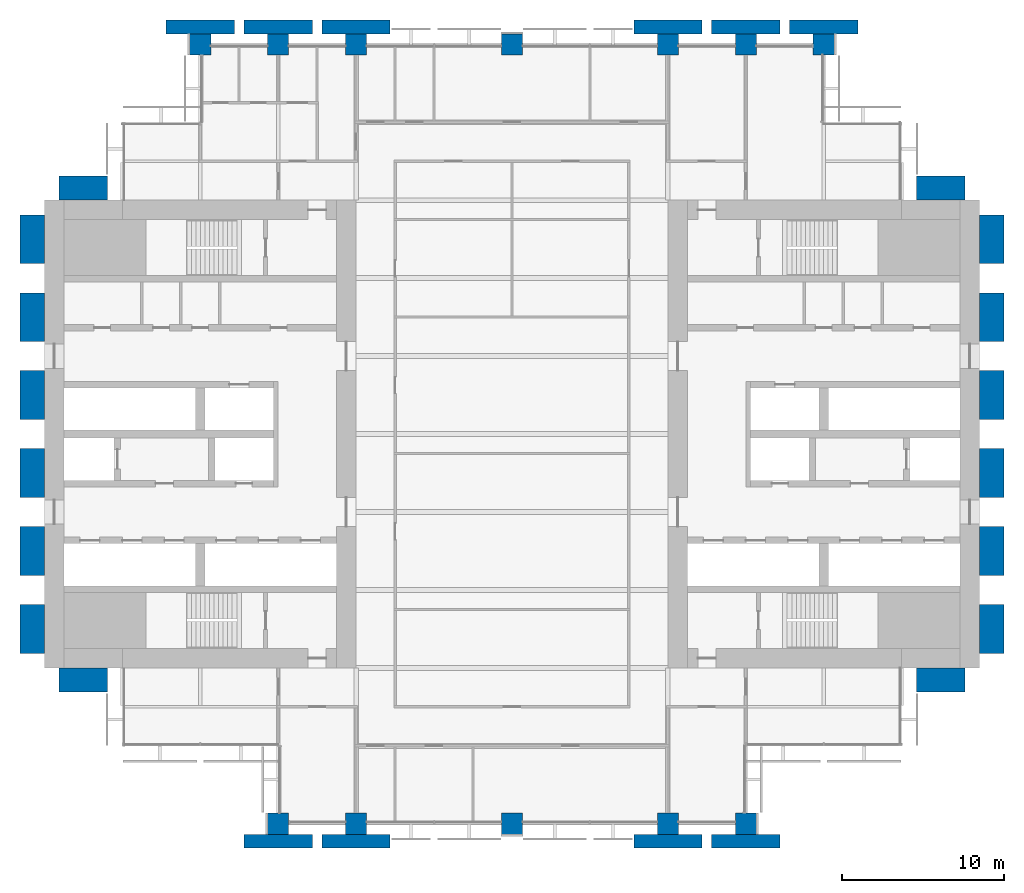
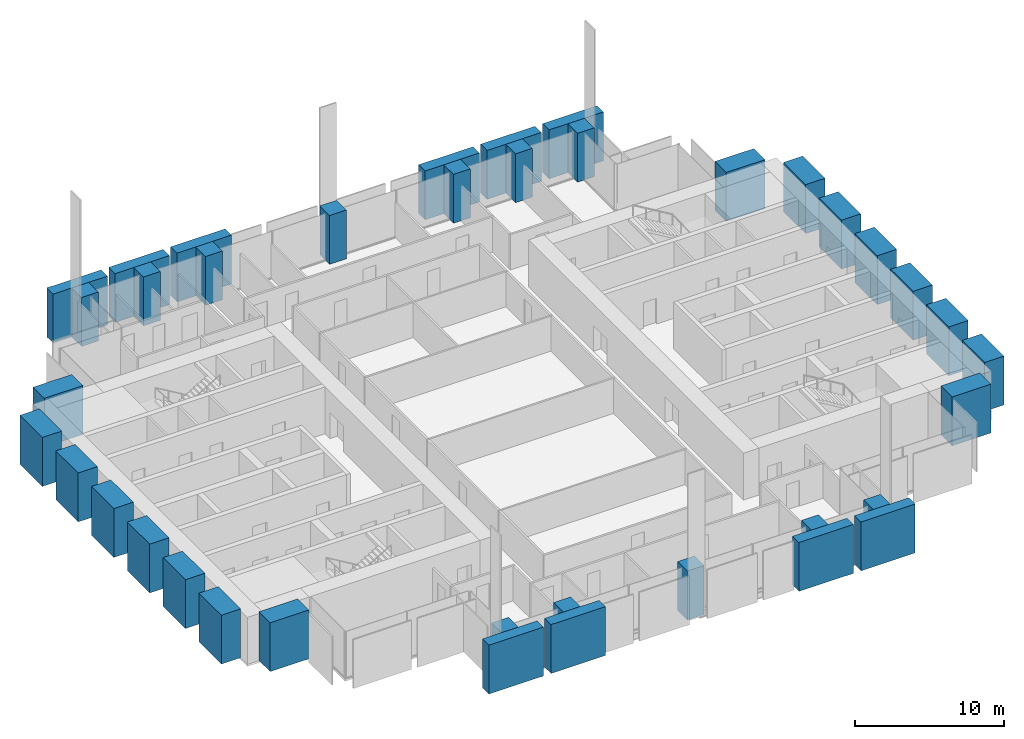
# One storey, part 1 of 14: 38 columns.
"""IFC4 building model written with IfcOpenShell, lengths in metres."""

from ifc_helpers import new_model, si_unit, direction, frame, origin, origin_2d, place, context, subcontext, project, spatial, rectangle, extrude, material, material_profile, profile_set, type_object, element, save


model = new_model("IFC4")

# Units and contexts
model_context = context("Model", 3, precision=1e-05, world=origin(), true_north=direction((0.0, 1.0)))
body_context = subcontext(model_context, "Body", "Model", "MODEL_VIEW")
ifc_project = project(units=[si_unit("LENGTHUNIT", "METRE"), si_unit("AREAUNIT", "SQUARE_METRE"), si_unit("VOLUMEUNIT", "CUBIC_METRE"), si_unit("PLANEANGLEUNIT", "RADIAN"), si_unit("MASSUNIT", "GRAM", prefix="KILO")], contexts=[model_context])

# Site, building, storey
site_placement = place(None, origin())
site = spatial("IfcSite", under=ifc_project, at=site_placement, CompositionType="ELEMENT")
building_placement = place(site_placement, origin())
building = spatial("IfcBuilding", under=site, at=building_placement, Name="Baori Bourse Tower", CompositionType="ELEMENT")
storey_placement = place(building_placement, frame((0.0, 0.0, 63.0)))
storey = spatial("IfcBuildingStorey", under=building, at=storey_placement, Name="L13", CompositionType="ELEMENT", Elevation=63.0)

# Columns
ifc_material_1 = material(Name="Concrete f'c 60 MPa", Category="concrete")
ifc_material_profile_1 = material_profile(ifc_material_1, rectangle(XDim=4.199951171875, YDim=0.85009765625, at=origin_2d()), Name="RC 4200x850")
ifc_profile_set_1 = profile_set([ifc_material_profile_1], Name="Concrete f'c 60 MPa")
column_type_1 = type_object("IfcColumnType", Name="FN3 Brick pilaster 4200x850", PredefinedType="PILASTER", material=ifc_profile_set_1)
for number, where, z_axis, x_axis, name in (
    (1, (14.39990234375, -1.074951171875, 0.0), (0.0, 0.0, 1.0), (1.0, 0.0, 0.0), "Brick pilaster L13 17"),
    (2, (19.199951171875, -1.074951171875, 0.0), (0.0, 0.0, 1.0), (1.0, 0.0, 0.0), "Brick pilaster L13 18"),
    (3, (38.39990234375, -1.074951171875, 0.0), (0.0, 0.0, 1.0), (1.0, 0.0, 0.0), "Brick pilaster L13 19"),
    (4, (43.199951171875, -1.074951171875, 0.0), (0.0, 0.0, 1.0), (1.0, 0.0, 0.0), "Brick pilaster L13 20"),
    (5, (9.60009765625, 49.074951171875, 0.0), (0.0, 0.0, 1.0), (1.0, 0.0, 0.0), "Brick pilaster L13 21"),
    (6, (14.39990234375, 49.074951171875, 0.0), (0.0, 0.0, 1.0), (1.0, 0.0, 0.0), "Brick pilaster L13 22"),
    (7, (19.199951171875, 49.074951171875, 0.0), (0.0, 0.0, 1.0), (1.0, 0.0, 0.0), "Brick pilaster L13 23"),
    (8, (38.39990234375, 49.074951171875, 0.0), (0.0, 0.0, 1.0), (1.0, 0.0, 0.0), "Brick pilaster L13 24"),
    (9, (43.199951171875, 49.074951171875, 0.0), (0.0, 0.0, 1.0), (1.0, 0.0, 0.0), "Brick pilaster L13 25"),
    (10, (48.0, 49.074951171875, 0.0), (0.0, 0.0, 1.0), (1.0, 0.0, 0.0), "Brick pilaster L13 26"),
):
    element("IfcColumn", number, at=place(storey_placement, frame(where, z_axis=z_axis, x_axis=x_axis)), inside=storey, type_object=column_type_1, Name=name, PredefinedType="PILASTER", context=body_context, shape_type="SweptSolid", body=[
        extrude(rectangle(XDim=4.199951171875, YDim=0.85009765625, at=origin_2d()), origin(), (0.0, 0.0, 1.0), 4.0),
    ])
ifc_material_2 = material(Name="Concrete f'c 60 MPa", Category="concrete")
ifc_material_profile_2 = material_profile(ifc_material_2, rectangle(XDim=3.0, YDim=1.5, at=origin_2d()), Name="RC 3000x1500")
ifc_profile_set_2 = profile_set([ifc_material_profile_2], Name="Concrete f'c 60 MPa")
column_type_2 = type_object("IfcColumnType", Name="FN4 Brick flank pilaster 3000x1500", PredefinedType="PILASTER", material=ifc_profile_set_2)
for number, where, z_axis, x_axis, name in (
    (11, (55.199951171875, 8.85009765625, 0.0), (0.0, 0.0, 1.0), (1.0, 0.0, 0.0), "Brick pilaster L13 1"),
    (12, (58.35009765625, 12.0, 0.0), (0.0, 0.0, 1.0), (0.0, 1.0, 0.0), "Brick pilaster L13 2"),
    (13, (58.35009765625, 16.800048828125, 0.0), (0.0, 0.0, 1.0), (0.0, 1.0, 0.0), "Brick pilaster L13 3"),
    (14, (58.35009765625, 21.60009765625, 0.0), (0.0, 0.0, 1.0), (0.0, 1.0, 0.0), "Brick pilaster L13 4"),
    (15, (58.35009765625, 26.39990234375, 0.0), (0.0, 0.0, 1.0), (0.0, 1.0, 0.0), "Brick pilaster L13 5"),
    (16, (58.35009765625, 31.199951171875, 0.0), (0.0, 0.0, 1.0), (0.0, 1.0, 0.0), "Brick pilaster L13 6"),
    (17, (58.35009765625, 36.0, 0.0), (0.0, 0.0, 1.0), (0.0, 1.0, 0.0), "Brick pilaster L13 7"),
    (18, (55.199951171875, 39.14990234375, 0.0), (0.0, 0.0, 1.0), (1.0, 0.0, 0.0), "Brick pilaster L13 8"),
    (19, (2.39990234375, 39.14990234375, 0.0), (0.0, 0.0, 1.0), (1.0, 0.0, 0.0), "Brick pilaster L13 9"),
    (20, (-0.75, 12.0, 0.0), (0.0, 0.0, 1.0), (0.0, 1.0, 0.0), "Brick pilaster L13 10"),
    (21, (-0.75, 16.800048828125, 0.0), (0.0, 0.0, 1.0), (0.0, 1.0, 0.0), "Brick pilaster L13 11"),
    (22, (-0.75, 21.60009765625, 0.0), (0.0, 0.0, 1.0), (0.0, 1.0, 0.0), "Brick pilaster L13 12"),
    (23, (-0.75, 26.39990234375, 0.0), (0.0, 0.0, 1.0), (0.0, 1.0, 0.0), "Brick pilaster L13 13"),
    (24, (-0.75, 31.199951171875, 0.0), (0.0, 0.0, 1.0), (0.0, 1.0, 0.0), "Brick pilaster L13 14"),
    (25, (-0.75, 36.0, 0.0), (0.0, 0.0, 1.0), (0.0, 1.0, 0.0), "Brick pilaster L13 15"),
    (26, (2.39990234375, 8.85009765625, 0.0), (0.0, 0.0, 1.0), (1.0, 0.0, 0.0), "Brick pilaster L13 16"),
):
    element("IfcColumn", number, at=place(storey_placement, frame(where, z_axis=z_axis, x_axis=x_axis)), inside=storey, type_object=column_type_2, Name=name, PredefinedType="PILASTER", context=body_context, shape_type="SweptSolid", body=[
        extrude(rectangle(XDim=3.0, YDim=1.5, at=origin_2d()), origin(), (0.0, 0.0, 1.0), 4.0),
    ])
ifc_material_3 = material(Name="Concrete f'c 70 MPa", Category="concrete")
ifc_material_profile_3 = material_profile(ifc_material_3, rectangle(XDim=1.300048828125, YDim=1.300048828125, at=origin_2d()), Name="RC 1300x1300")
ifc_profile_set_3 = profile_set([ifc_material_profile_3], Name="Concrete f'c 70 MPa")
column_type_3 = type_object("IfcColumnType", Name="Perimeter column RC 1300x1300", PredefinedType="COLUMN", material=ifc_profile_set_3)
for number, where, z_axis, x_axis, name in (
    (27, (14.39990234375, 0.0, 0.0), (0.0, 0.0, 1.0), (1.0, 0.0, 0.0), "Perimeter column L13"),
    (28, (19.199951171875, 0.0, 0.0), (0.0, 0.0, 1.0), (1.0, 0.0, 0.0), "Perimeter column L13"),
    (29, (28.800048828125, 0.0, 0.0), (0.0, 0.0, 1.0), (1.0, 0.0, 0.0), "Perimeter column L13"),
    (30, (38.39990234375, 0.0, 0.0), (0.0, 0.0, 1.0), (1.0, 0.0, 0.0), "Perimeter column L13"),
    (31, (43.199951171875, 0.0, 0.0), (0.0, 0.0, 1.0), (1.0, 0.0, 0.0), "Perimeter column L13"),
    (32, (9.60009765625, 48.0, 0.0), (0.0, 0.0, 1.0), (1.0, 0.0, 0.0), "Perimeter column L13"),
    (33, (14.39990234375, 48.0, 0.0), (0.0, 0.0, 1.0), (1.0, 0.0, 0.0), "Perimeter column L13"),
    (34, (19.199951171875, 48.0, 0.0), (0.0, 0.0, 1.0), (1.0, 0.0, 0.0), "Perimeter column L13"),
    (35, (28.800048828125, 48.0, 0.0), (0.0, 0.0, 1.0), (1.0, 0.0, 0.0), "Perimeter column L13"),
    (36, (38.39990234375, 48.0, 0.0), (0.0, 0.0, 1.0), (1.0, 0.0, 0.0), "Perimeter column L13"),
    (37, (43.199951171875, 48.0, 0.0), (0.0, 0.0, 1.0), (1.0, 0.0, 0.0), "Perimeter column L13"),
    (38, (48.0, 48.0, 0.0), (0.0, 0.0, 1.0), (1.0, 0.0, 0.0), "Perimeter column L13"),
):
    element("IfcColumn", number, at=place(storey_placement, frame(where, z_axis=z_axis, x_axis=x_axis)), inside=storey, type_object=column_type_3, Name=name, PredefinedType="COLUMN", context=body_context, shape_type="SweptSolid", body=[
        extrude(rectangle(XDim=1.300048828125, YDim=1.300048828125, at=origin_2d()), origin(), (0.0, 0.0, 1.0), 4.0),
    ])

save(model, "model.ifc")
